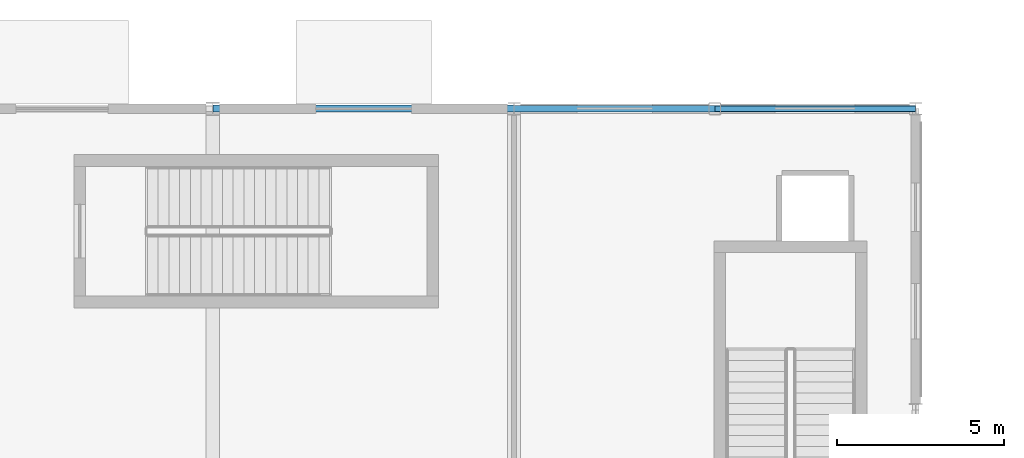
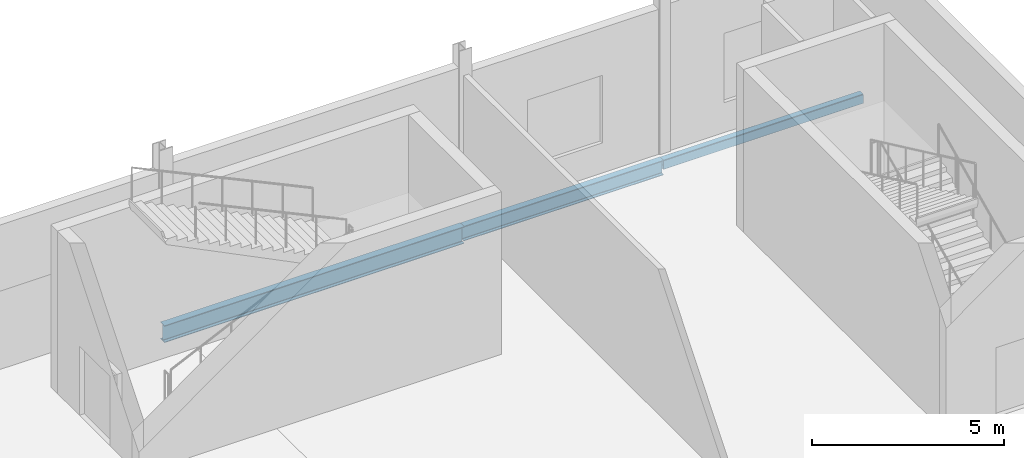
# One storey, part 42 of 94: 3 beams.
"""IFC4 building model written with IfcOpenShell, lengths in metres."""

from ifc_helpers import new_model, si_unit, direction, frame, origin, origin_2d, place, context, subcontext, project, spatial, hollow_rectangle, i_section, extrude, material, material_profile, profile_set, type_object, element, save


model = new_model("IFC4")

# Units and contexts
model_context = context("Model", 3, precision=1e-05, world=origin(), true_north=direction((0.0, 1.0)))
body_context = subcontext(model_context, "Body", "Model", "MODEL_VIEW")
ifc_project = project(units=[si_unit("LENGTHUNIT", "METRE"), si_unit("AREAUNIT", "SQUARE_METRE"), si_unit("VOLUMEUNIT", "CUBIC_METRE"), si_unit("PLANEANGLEUNIT", "RADIAN"), si_unit("MASSUNIT", "GRAM", prefix="KILO")], contexts=[model_context])

# Site, building, storey
site_placement = place(None, origin())
site = spatial("IfcSite", under=ifc_project, at=site_placement, CompositionType="ELEMENT")
building_placement = place(site_placement, origin())
building = spatial("IfcBuilding", under=site, at=building_placement, Name="Qamarlyn Nura Convention Centre", CompositionType="ELEMENT")
storey_placement = place(building_placement, origin())
storey = spatial("IfcBuildingStorey", under=building, at=storey_placement, Name="L00", CompositionType="ELEMENT", Elevation=0.0)

# Beams
ifc_material_1 = material(Name="Steel ASTM A992", Category="steel")
ifc_material_profile_1 = material_profile(ifc_material_1, i_section(OverallWidth=0.193115234375, OverallDepth=0.466064453125, WebThickness=0.011474609375, FlangeThickness=0.01904296875, FilletRadius=0.012939453125, at=origin_2d()), Name="W460X97")
ifc_profile_set_1 = profile_set([ifc_material_profile_1], Name="Steel ASTM A992")
beam_type_1 = type_object("IfcBeamType", Name="BM-SPAN-460", PredefinedType="SPANDREL", material=ifc_profile_set_1)
beam_1_placement = place(storey_placement, frame((180.0, 126.0, -0.512939453125), z_axis=(1.0, 0.0, 0.0), x_axis=(0.0, 1.0, 0.0)))
element("IfcBeam", 1, at=beam_1_placement, inside=storey, type_object=beam_type_1, Name="L00 girder Q 16-17", PredefinedType="SPANDREL", context=body_context, shape_type="SweptSolid", body=[
    extrude(i_section(OverallWidth=0.193115234375, OverallDepth=0.466064453125, WebThickness=0.011474609375, FlangeThickness=0.01904296875, FilletRadius=0.012939453125, at=origin_2d()), origin(), (0.0, 0.0, 1.0), 6.0),
])
ifc_material_profile_2 = material_profile(ifc_material_1, i_section(OverallWidth=0.2109375, OverallDepth=0.5390625, WebThickness=0.01171875, FlangeThickness=0.018798828125, FilletRadius=0.013916015625, at=origin_2d()), Name="W530X109")
ifc_profile_set_2 = profile_set([ifc_material_profile_2], Name="Steel ASTM A992")
beam_type_2 = type_object("IfcBeamType", Name="BM-SPAN-530", PredefinedType="SPANDREL", material=ifc_profile_set_2)
beam_2_placement = place(storey_placement, frame((171.0, 126.0, -0.549560546875), z_axis=(1.0, 0.0, 0.0), x_axis=(0.0, 1.0, 0.0)))
element("IfcBeam", 2, at=beam_2_placement, inside=storey, type_object=beam_type_2, Name="L00 girder Q 15-16", PredefinedType="SPANDREL", context=body_context, shape_type="SweptSolid", body=[
    extrude(i_section(OverallWidth=0.2109375, OverallDepth=0.5390625, WebThickness=0.01171875, FlangeThickness=0.018798828125, FilletRadius=0.013916015625, at=origin_2d()), origin(), (0.0, 0.0, 1.0), 9.0),
])
ifc_material_2 = material(Name="Steel ASTM A500 Grade C", Category="steel")
ifc_material_profile_3 = material_profile(ifc_material_2, hollow_rectangle(XDim=0.199951171875, YDim=0.300048828125, WallThickness=0.012451171875, InnerFilletRadius=0.012451171875, OuterFilletRadius=0.02490234375, at=origin_2d()), Name="HSS300X200X12.5")
ifc_profile_set_3 = profile_set([ifc_material_profile_3], Name="Steel ASTM A500 Grade C")
beam_type_3 = type_object("IfcBeamType", Name="BM-SPAN-HSS", PredefinedType="SPANDREL", material=ifc_profile_set_3)
beam_3_placement = place(storey_placement, frame((186.0, 126.0, -0.429931640625), z_axis=(1.0, 0.0, 0.0), x_axis=(0.0, 1.0, 0.0)))
element("IfcBeam", 3, at=beam_3_placement, inside=storey, type_object=beam_type_3, Name="L00 girder Q 17-18", PredefinedType="SPANDREL", context=body_context, shape_type="SweptSolid", body=[
    extrude(hollow_rectangle(XDim=0.199951171875, YDim=0.300048828125, WallThickness=0.012451171875, InnerFilletRadius=0.012451171875, OuterFilletRadius=0.02490234375, at=origin_2d()), origin(), (0.0, 0.0, 1.0), 6.0),
])

save(model, "model.ifc")
